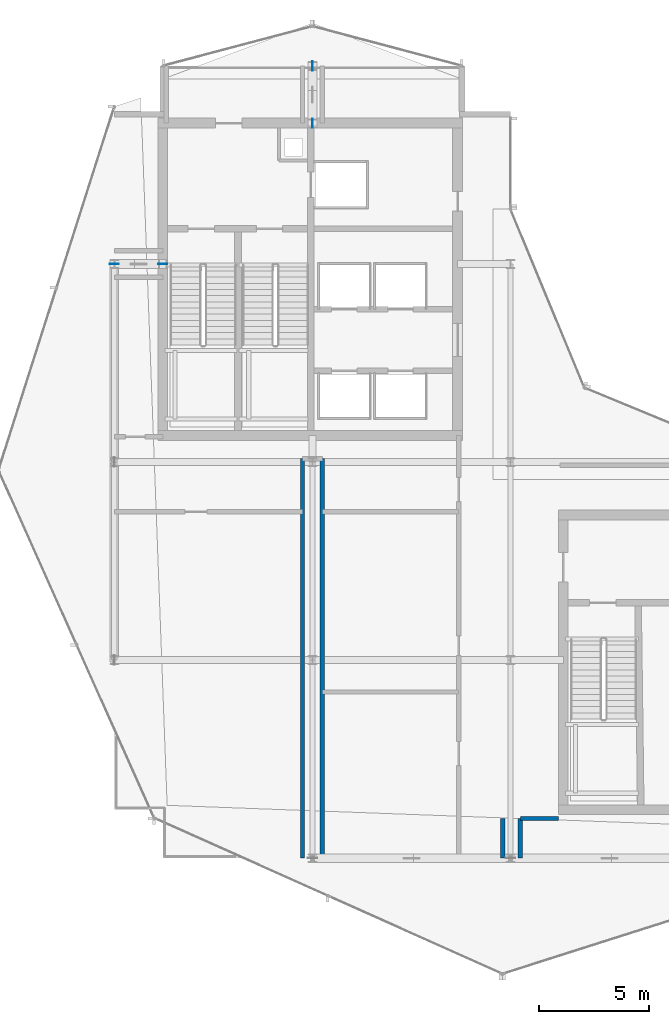
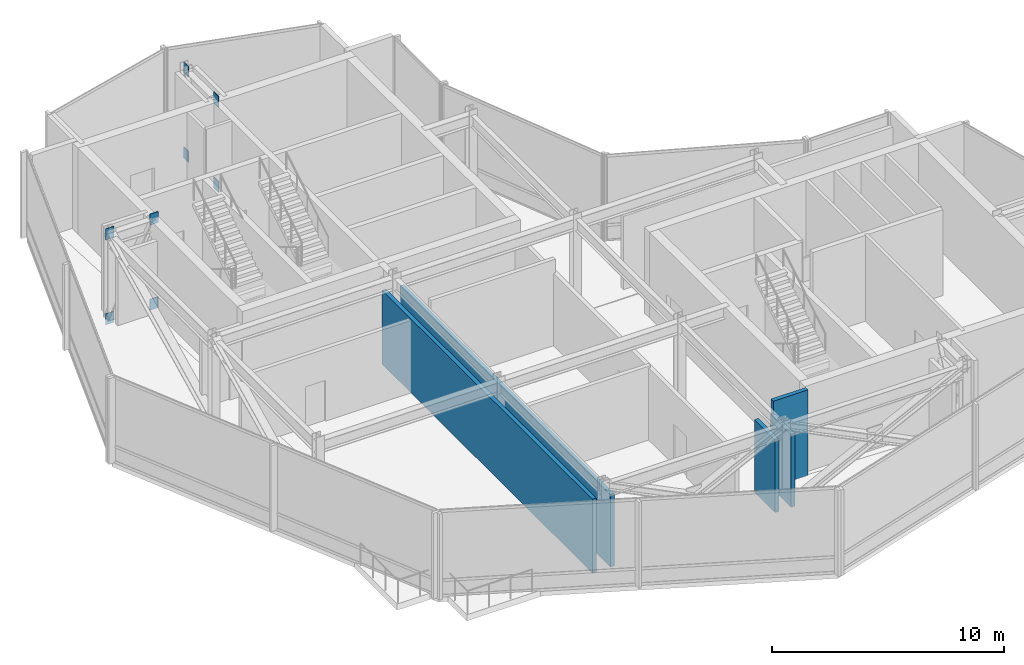
# One storey, part 17 of 23: 8 plates, 5 walls.
"""IFC4 building model written with IfcOpenShell, lengths in metres."""

from ifc_helpers import new_model, si_unit, direction, frame, frame_2d, origin, origin_2d, place, context, subcontext, project, spatial, rectangle, extrude, material, layer, layer_set, type_object, element, save


model = new_model("IFC4")

# Units and contexts
model_context = context("Model", 3, precision=1e-05, world=origin(), true_north=direction((0.0, 1.0)))
body_context = subcontext(model_context, "Body", "Model", "MODEL_VIEW")
ifc_project = project(units=[si_unit("LENGTHUNIT", "METRE"), si_unit("AREAUNIT", "SQUARE_METRE"), si_unit("VOLUMEUNIT", "CUBIC_METRE"), si_unit("PLANEANGLEUNIT", "RADIAN"), si_unit("MASSUNIT", "GRAM", prefix="KILO")], contexts=[model_context])

# Site, building, storey
site_placement = place(None, origin())
site = spatial("IfcSite", under=ifc_project, at=site_placement, CompositionType="ELEMENT")
building_placement = place(site_placement, origin())
building = spatial("IfcBuilding", under=site, at=building_placement, Name="Solvaryn Broadcast Tower", CompositionType="ELEMENT")
storey_placement = place(building_placement, frame((0.0, 0.0, 285.199951171875)))
storey = spatial("IfcBuildingStorey", under=building, at=storey_placement, Name="L72", CompositionType="ELEMENT", Elevation=285.199951171875)

# Plates
ifc_material_1 = material(Name="Steel ASTM A572 Grade 50", Category="steel")
ifc_layer_1 = layer(ifc_material_1, 0.031982421875)
ifc_layer_set_1 = layer_set([ifc_layer_1], Name="PL-ENDCAP-32")
plate_type = type_object("IfcPlateType", Name="PL-ENDCAP-32", PredefinedType="USERDEFINED", material=ifc_layer_set_1)
for number, where, z_axis, x_axis, name in (
    (1, (11.199951171875, 36.0, -0.27001953125), (0.0, 0.0, 1.0), (1.0, 0.0, 0.0), "L72 Outrigger X-Brace W Continuous Diagonal End Plate A"),
    (2, (9.0, 36.0, 4.2099609375), (0.0, 0.0, 1.0), (1.0, 0.0, 0.0), "L72 Outrigger X-Brace W Continuous Diagonal End Plate B"),
    (3, (11.199951171875, 36.0, 4.2099609375), (0.0, 0.0, 1.0), (1.0, 0.0, 0.0), "L72 Outrigger X-Brace W End Plate 2A"),
    (4, (9.0, 36.0, -0.27001953125), (0.0, 0.0, 1.0), (1.0, 0.0, 0.0), "L72 Outrigger X-Brace W End Plate 2B"),
):
    element("IfcPlate", number, at=place(storey_placement, frame(where, z_axis=z_axis, x_axis=x_axis)), inside=storey, type_object=plate_type, Name=name, ObjectType="FLANGE_PLATE", PredefinedType="USERDEFINED", context=body_context, shape_type="SweptSolid", body=[
        extrude(rectangle(XDim=0.419921875, YDim=0.031982421875, at=origin_2d()), origin(), (0.0, 0.0, 1.0), 0.580078125),
    ])
for number, where, z_axis, x_axis, name in (
    (5, (18.0, 42.39990234375, -0.27001953125), (0.0, 0.0, 1.0), (1.0, 0.0, 0.0), "L72 Outrigger X-Brace N Continuous Diagonal End Plate A"),
    (6, (18.0, 45.0, 4.2099609375), (0.0, 0.0, 1.0), (1.0, 0.0, 0.0), "L72 Outrigger X-Brace N Continuous Diagonal End Plate B"),
    (7, (18.0, 42.39990234375, 4.2099609375), (0.0, 0.0, 1.0), (1.0, 0.0, 0.0), "L72 Outrigger X-Brace N End Plate 2A"),
    (8, (18.0, 45.0, -0.27001953125), (0.0, 0.0, 1.0), (1.0, 0.0, 0.0), "L72 Outrigger X-Brace N End Plate 2B"),
):
    element("IfcPlate", number, at=place(storey_placement, frame(where, z_axis=z_axis, x_axis=x_axis)), inside=storey, type_object=plate_type, Name=name, ObjectType="FLANGE_PLATE", PredefinedType="USERDEFINED", context=body_context, shape_type="SweptSolid", body=[
        extrude(rectangle(XDim=0.031982421875, YDim=0.419921875, at=origin_2d()), origin(), (0.0, 0.0, 1.0), 0.580078125),
    ])

# Walls
ifc_material_2 = material(Name="Gypsum Fire-Rated Shaftwall Assembly", Category="concrete")
ifc_layer_2 = layer(ifc_material_2, 0.199951171875)
ifc_layer_set_2 = layer_set([ifc_layer_2], Name="IW-RATED-200")
wall_type = type_object("IfcWallType", Name="IW-RATED-200", PredefinedType="PARTITIONING", material=ifc_layer_set_2)
wall_1_placement = place(storey_placement, frame((17.550048828125, 9.0, 0.0), z_axis=(0.0, 0.0, 1.0), x_axis=(0.0, 1.0, 0.0)))
element("IfcWall", 9, at=wall_1_placement, inside=storey, type_object=wall_type, Name="L72 Interior Partition IW-L72-MW1A", PredefinedType="PARTITIONING", context=body_context, shape_type="SweptSolid", body=[
    extrude(rectangle(XDim=18.14990234375, YDim=0.199951171875, at=frame_2d((9.074951171875, 0.0))), origin(), (0.0, 0.0, 1.0), 3.88916015625),
])
wall_2_placement = place(storey_placement, frame((18.449951171875, 9.0, 0.0), z_axis=(0.0, 0.0, 1.0), x_axis=(0.0, 1.0, 0.0)))
element("IfcWall", 10, at=wall_2_placement, inside=storey, type_object=wall_type, Name="L72 Interior Partition IW-L72-MW1B", PredefinedType="PARTITIONING", context=body_context, shape_type="SweptSolid", body=[
    extrude(rectangle(XDim=18.14990234375, YDim=0.199951171875, at=frame_2d((9.074951171875, 0.0))), origin(), (0.0, 0.0, 1.0), 3.80712890625),
])
wall_3_placement = place(storey_placement, frame((27.449951171875, 10.800048828125, 0.0), z_axis=(0.0, 0.0, 1.0), x_axis=(1.0, 0.0, 0.0)))
element("IfcWall", 11, at=wall_3_placement, inside=storey, type_object=wall_type, Name="L72 Interior Partition IW-L72-MW4A", PredefinedType="PARTITIONING", context=body_context, shape_type="SweptSolid", body=[
    extrude(rectangle(XDim=1.72509765625, YDim=0.199951171875, at=frame_2d((0.862548828125, 0.0))), origin(), (0.0, 0.0, 1.0), 4.52001953125),
])
for number, where, z_axis, x_axis, name in (
    (12, (26.64990234375, 9.0, 0.0), (0.0, 0.0, 1.0), (0.0, 1.0, 0.0), "L72 Interior Partition IW-L72-MW5W"),
    (13, (27.449951171875, 9.0, 0.0), (0.0, 0.0, 1.0), (0.0, 1.0, 0.0), "L72 Interior Partition IW-L72-MW5E"),
):
    element("IfcWall", number, at=place(storey_placement, frame(where, z_axis=z_axis, x_axis=x_axis)), inside=storey, type_object=wall_type, Name=name, PredefinedType="PARTITIONING", context=body_context, shape_type="SweptSolid", body=[
        extrude(rectangle(XDim=1.800048828125, YDim=0.199951171875, at=frame_2d((0.89990234375, 0.0))), origin(), (0.0, 0.0, 1.0), 3.80712890625),
    ])

save(model, "model.ifc")
